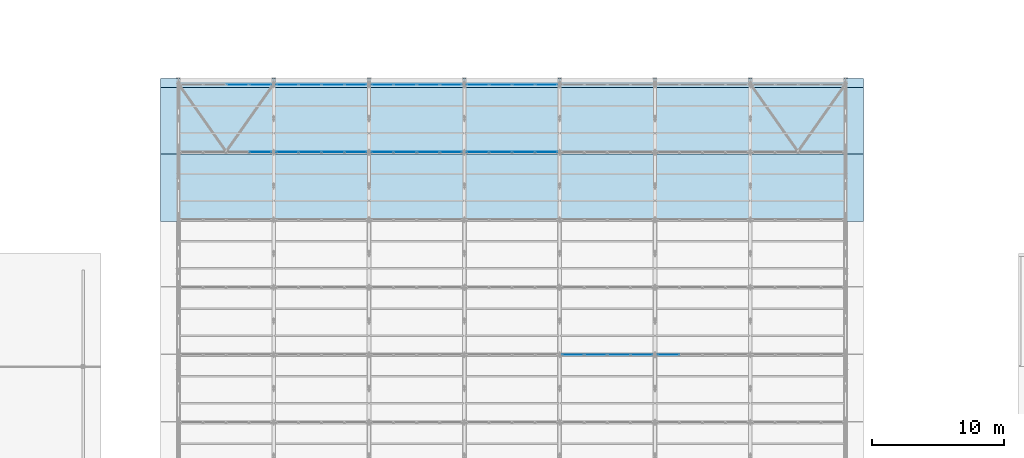
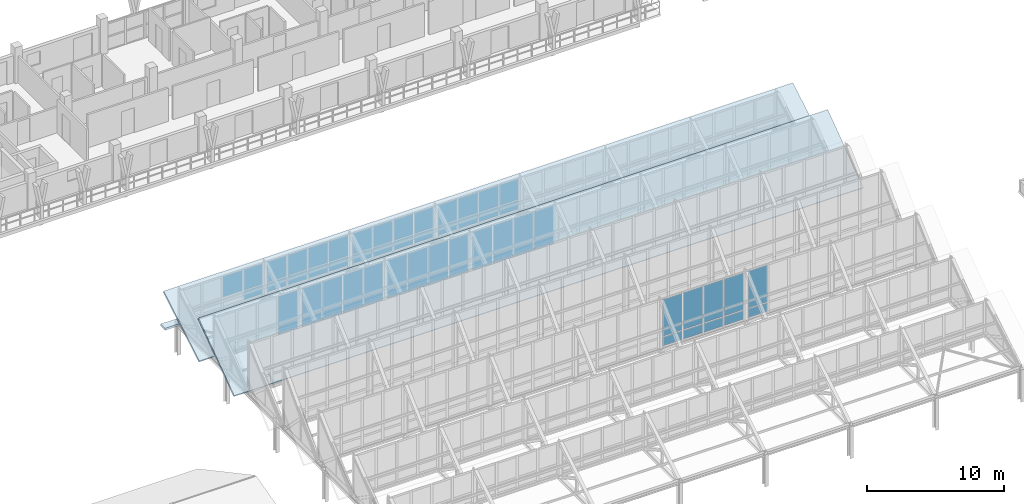
# One storey, part 102 of 157: 63 plates, 3 slabs, 10 elements without a shape of their own.
"""IFC4 building model written with IfcOpenShell, lengths in metres."""

from ifc_helpers import new_model, si_unit, direction, frame, origin, origin_2d, place, context, subcontext, project, spatial, polyline, rectangle, outline, extrude, material, layer, layer_set, type_object, element, aggregate, save


model = new_model("IFC4")

# Units and contexts
model_context = context("Model", 3, precision=1e-05, world=origin(), true_north=direction((0.0, 1.0)))
body_context = subcontext(model_context, "Body", "Model", "MODEL_VIEW")
ifc_project = project(units=[si_unit("LENGTHUNIT", "METRE"), si_unit("AREAUNIT", "SQUARE_METRE"), si_unit("VOLUMEUNIT", "CUBIC_METRE"), si_unit("PLANEANGLEUNIT", "RADIAN"), si_unit("MASSUNIT", "GRAM", prefix="KILO")], contexts=[model_context])

# Site, building, storey
site_placement = place(None, origin())
site = spatial("IfcSite", under=ifc_project, at=site_placement, CompositionType="ELEMENT")
building_placement = place(site_placement, origin())
building = spatial("IfcBuilding", under=site, at=building_placement, Name="Suanplinth Sawtooth Commons", CompositionType="ELEMENT")
storey_placement = place(building_placement, frame((0.0, 0.0, 9.0)))
storey = spatial("IfcBuildingStorey", under=building, at=storey_placement, Name="L02", CompositionType="ELEMENT", Elevation=9.0)

# Curtain wall, plates
ifc_material_1 = material(Name="Anodized aluminium and low-E glazing", Category="aluminium")
curtain_wall_type = type_object("IfcCurtainWallType", Name="CW-03", PredefinedType="USERDEFINED", material=ifc_material_1)
curtain_wall_1_placement = place(storey_placement, origin())
curtain_wall_1 = element("IfcCurtainWall", 1, at=curtain_wall_1_placement, inside=storey, type_object=curtain_wall_type, Name="Curtain Wall CW-SAW-T3-B5", ObjectType="CURTAIN WALL", PredefinedType="USERDEFINED")
ifc_material_2 = material(Name="Diffused north-light laminated glazing", Category="glass")
ifc_layer_1 = layer(ifc_material_2, 0.02587890625, Name="Sawtooth north-light diffused glazing panel 26mm")
ifc_layer_set_1 = layer_set([ifc_layer_1], Name="Diffused north-light laminated glazing")
plate_type_1 = type_object("IfcPlateType", Name="PL-07", PredefinedType="CURTAIN_PANEL", material=ifc_layer_set_1)
plate_1_placement = place(storey_placement, frame((94.608642578125, 65.699951171875, 3.054931640625), z_axis=(0.0, 0.0, 1.0), x_axis=(1.0, 0.0, 0.0)))
plate_1 = element("IfcPlate", 2, at=plate_1_placement, type_object=plate_type_1, Name="CW-03 panel 1.1", PredefinedType="CURTAIN_PANEL", context=body_context, shape_type="SweptSolid", body=[
    extrude(rectangle(XDim=1.62744140625, YDim=0.02587890625, at=origin_2d()), origin(), (0.0, 0.0, 1.0), 0.78759765625),
])
plate_2_placement = place(storey_placement, frame((94.608642578125, 65.699951171875, 3.91748046875), z_axis=(0.0, 0.0, 1.0), x_axis=(1.0, 0.0, 0.0)))
plate_2 = element("IfcPlate", 3, at=plate_2_placement, type_object=plate_type_1, Name="CW-03 panel 1.2", PredefinedType="CURTAIN_PANEL", context=body_context, shape_type="SweptSolid", body=[
    extrude(rectangle(XDim=1.62744140625, YDim=0.02587890625, at=origin_2d()), origin(), (0.0, 0.0, 1.0), 3.297607421875),
])
plate_3_placement = place(storey_placement, frame((96.330078125, 65.699951171875, 3.054931640625), z_axis=(0.0, 0.0, 1.0), x_axis=(1.0, 0.0, 0.0)))
plate_3 = element("IfcPlate", 4, at=plate_3_placement, type_object=plate_type_1, Name="CW-03 panel 2.1", PredefinedType="CURTAIN_PANEL", context=body_context, shape_type="SweptSolid", body=[
    extrude(rectangle(XDim=1.6650390625, YDim=0.02587890625, at=origin_2d()), origin(), (0.0, 0.0, 1.0), 0.78759765625),
])
plate_4_placement = place(storey_placement, frame((96.330078125, 65.699951171875, 3.91748046875), z_axis=(0.0, 0.0, 1.0), x_axis=(1.0, 0.0, 0.0)))
plate_4 = element("IfcPlate", 5, at=plate_4_placement, type_object=plate_type_1, Name="CW-03 panel 2.2", PredefinedType="CURTAIN_PANEL", context=body_context, shape_type="SweptSolid", body=[
    extrude(rectangle(XDim=1.6650390625, YDim=0.02587890625, at=origin_2d()), origin(), (0.0, 0.0, 1.0), 3.297607421875),
])
plate_5_placement = place(storey_placement, frame((98.070068359375, 65.699951171875, 3.054931640625), z_axis=(0.0, 0.0, 1.0), x_axis=(1.0, 0.0, 0.0)))
plate_5 = element("IfcPlate", 6, at=plate_5_placement, type_object=plate_type_1, Name="CW-03 panel 3.1", PredefinedType="CURTAIN_PANEL", context=body_context, shape_type="SweptSolid", body=[
    extrude(rectangle(XDim=1.6650390625, YDim=0.02587890625, at=origin_2d()), origin(), (0.0, 0.0, 1.0), 0.78759765625),
])
plate_6_placement = place(storey_placement, frame((98.070068359375, 65.699951171875, 3.91748046875), z_axis=(0.0, 0.0, 1.0), x_axis=(1.0, 0.0, 0.0)))
plate_6 = element("IfcPlate", 7, at=plate_6_placement, type_object=plate_type_1, Name="CW-03 panel 3.2", PredefinedType="CURTAIN_PANEL", context=body_context, shape_type="SweptSolid", body=[
    extrude(rectangle(XDim=1.6650390625, YDim=0.02587890625, at=origin_2d()), origin(), (0.0, 0.0, 1.0), 3.297607421875),
])
plate_7_placement = place(storey_placement, frame((99.791259765625, 65.699951171875, 3.054931640625), z_axis=(0.0, 0.0, 1.0), x_axis=(1.0, 0.0, 0.0)))
plate_7 = element("IfcPlate", 8, at=plate_7_placement, type_object=plate_type_1, Name="CW-03 panel 4.1", PredefinedType="CURTAIN_PANEL", context=body_context, shape_type="SweptSolid", body=[
    extrude(rectangle(XDim=1.62744140625, YDim=0.02587890625, at=origin_2d()), origin(), (0.0, 0.0, 1.0), 0.78759765625),
])
plate_8_placement = place(storey_placement, frame((99.791259765625, 65.699951171875, 3.91748046875), z_axis=(0.0, 0.0, 1.0), x_axis=(1.0, 0.0, 0.0)))
plate_8 = element("IfcPlate", 9, at=plate_8_placement, type_object=plate_type_1, Name="CW-03 panel 4.2", PredefinedType="CURTAIN_PANEL", context=body_context, shape_type="SweptSolid", body=[
    extrude(rectangle(XDim=1.62744140625, YDim=0.02587890625, at=origin_2d()), origin(), (0.0, 0.0, 1.0), 3.297607421875),
])
aggregate(curtain_wall_1, [plate_1, plate_2, plate_3, plate_4, plate_5, plate_6, plate_7, plate_8])

curtain_wall_2_placement = place(storey_placement, origin())
curtain_wall_2 = element("IfcCurtainWall", 10, at=curtain_wall_2_placement, inside=storey, type_object=curtain_wall_type, Name="Curtain Wall CW-SAW-T3-B6", ObjectType="CURTAIN WALL", PredefinedType="USERDEFINED")
plate_9_placement = place(storey_placement, frame((101.808837890625, 65.699951171875, 3.054931640625), z_axis=(0.0, 0.0, 1.0), x_axis=(1.0, 0.0, 0.0)))
plate_9 = element("IfcPlate", 11, at=plate_9_placement, type_object=plate_type_1, Name="CW-03 panel 1.1", PredefinedType="CURTAIN_PANEL", context=body_context, shape_type="SweptSolid", body=[
    extrude(rectangle(XDim=1.62744140625, YDim=0.02587890625, at=origin_2d()), origin(), (0.0, 0.0, 1.0), 0.78759765625),
])
plate_10_placement = place(storey_placement, frame((101.808837890625, 65.699951171875, 3.91748046875), z_axis=(0.0, 0.0, 1.0), x_axis=(1.0, 0.0, 0.0)))
plate_10 = element("IfcPlate", 12, at=plate_10_placement, type_object=plate_type_1, Name="CW-03 panel 1.2", PredefinedType="CURTAIN_PANEL", context=body_context, shape_type="SweptSolid", body=[
    extrude(rectangle(XDim=1.62744140625, YDim=0.02587890625, at=origin_2d()), origin(), (0.0, 0.0, 1.0), 3.297607421875),
])
aggregate(curtain_wall_2, [plate_9, plate_10])

curtain_wall_3_placement = place(storey_placement, origin())
curtain_wall_3 = element("IfcCurtainWall", 13, at=curtain_wall_3_placement, inside=storey, type_object=curtain_wall_type, Name="Curtain Wall CW-SAW-T7-B1", ObjectType="CURTAIN WALL", PredefinedType="USERDEFINED")
plate_11_placement = place(storey_placement, frame((69.27001953125, 86.10009765625, 3.91748046875), z_axis=(0.0, 0.0, 1.0), x_axis=(1.0, 0.0, 0.0)))
plate_11 = element("IfcPlate", 14, at=plate_11_placement, type_object=plate_type_1, Name="CW-03 panel 3.2", PredefinedType="CURTAIN_PANEL", context=body_context, shape_type="SweptSolid", body=[
    extrude(rectangle(XDim=1.6650390625, YDim=0.02587890625, at=origin_2d()), origin(), (0.0, 0.0, 1.0), 1.847412109375),
])
plate_12_placement = place(storey_placement, frame((70.9912109375, 86.10009765625, 3.054931640625), z_axis=(0.0, 0.0, 1.0), x_axis=(1.0, 0.0, 0.0)))
plate_12 = element("IfcPlate", 15, at=plate_12_placement, type_object=plate_type_1, Name="CW-03 panel 4.1", PredefinedType="CURTAIN_PANEL", context=body_context, shape_type="SweptSolid", body=[
    extrude(rectangle(XDim=1.62744140625, YDim=0.02587890625, at=origin_2d()), origin(), (0.0, 0.0, 1.0), 0.78759765625),
])
plate_13_placement = place(storey_placement, frame((70.9912109375, 86.10009765625, 3.91748046875), z_axis=(0.0, 0.0, 1.0), x_axis=(1.0, 0.0, 0.0)))
plate_13 = element("IfcPlate", 16, at=plate_13_placement, type_object=plate_type_1, Name="CW-03 panel 4.2", PredefinedType="CURTAIN_PANEL", context=body_context, shape_type="SweptSolid", body=[
    extrude(rectangle(XDim=1.62744140625, YDim=0.02587890625, at=origin_2d()), origin(), (0.0, 0.0, 1.0), 1.847412109375),
])
aggregate(curtain_wall_3, [plate_11, plate_12, plate_13])

curtain_wall_4_placement = place(storey_placement, origin())
curtain_wall_4 = element("IfcCurtainWall", 17, at=curtain_wall_4_placement, inside=storey, type_object=curtain_wall_type, Name="Curtain Wall CW-SAW-T7-B2", ObjectType="CURTAIN WALL", PredefinedType="USERDEFINED")
plate_14_placement = place(storey_placement, frame((73.0087890625, 86.10009765625, 3.054931640625), z_axis=(0.0, 0.0, 1.0), x_axis=(1.0, 0.0, 0.0)))
plate_14 = element("IfcPlate", 18, at=plate_14_placement, type_object=plate_type_1, Name="CW-03 panel 1.1", PredefinedType="CURTAIN_PANEL", context=body_context, shape_type="SweptSolid", body=[
    extrude(rectangle(XDim=1.62744140625, YDim=0.02587890625, at=origin_2d()), origin(), (0.0, 0.0, 1.0), 0.78759765625),
])
plate_15_placement = place(storey_placement, frame((73.0087890625, 86.10009765625, 3.91748046875), z_axis=(0.0, 0.0, 1.0), x_axis=(1.0, 0.0, 0.0)))
plate_15 = element("IfcPlate", 19, at=plate_15_placement, type_object=plate_type_1, Name="CW-03 panel 1.2", PredefinedType="CURTAIN_PANEL", context=body_context, shape_type="SweptSolid", body=[
    extrude(rectangle(XDim=1.62744140625, YDim=0.02587890625, at=origin_2d()), origin(), (0.0, 0.0, 1.0), 1.847412109375),
])
plate_16_placement = place(storey_placement, frame((74.72998046875, 86.10009765625, 3.054931640625), z_axis=(0.0, 0.0, 1.0), x_axis=(1.0, 0.0, 0.0)))
plate_16 = element("IfcPlate", 20, at=plate_16_placement, type_object=plate_type_1, Name="CW-03 panel 2.1", PredefinedType="CURTAIN_PANEL", context=body_context, shape_type="SweptSolid", body=[
    extrude(rectangle(XDim=1.6650390625, YDim=0.02587890625, at=origin_2d()), origin(), (0.0, 0.0, 1.0), 0.78759765625),
])
plate_17_placement = place(storey_placement, frame((74.72998046875, 86.10009765625, 3.91748046875), z_axis=(0.0, 0.0, 1.0), x_axis=(1.0, 0.0, 0.0)))
plate_17 = element("IfcPlate", 21, at=plate_17_placement, type_object=plate_type_1, Name="CW-03 panel 2.2", PredefinedType="CURTAIN_PANEL", context=body_context, shape_type="SweptSolid", body=[
    extrude(rectangle(XDim=1.6650390625, YDim=0.02587890625, at=origin_2d()), origin(), (0.0, 0.0, 1.0), 1.847412109375),
])
plate_18_placement = place(storey_placement, frame((76.469970703125, 86.10009765625, 3.054931640625), z_axis=(0.0, 0.0, 1.0), x_axis=(1.0, 0.0, 0.0)))
plate_18 = element("IfcPlate", 22, at=plate_18_placement, type_object=plate_type_1, Name="CW-03 panel 3.1", PredefinedType="CURTAIN_PANEL", context=body_context, shape_type="SweptSolid", body=[
    extrude(rectangle(XDim=1.6650390625, YDim=0.02587890625, at=origin_2d()), origin(), (0.0, 0.0, 1.0), 0.78759765625),
])
plate_19_placement = place(storey_placement, frame((76.469970703125, 86.10009765625, 3.91748046875), z_axis=(0.0, 0.0, 1.0), x_axis=(1.0, 0.0, 0.0)))
plate_19 = element("IfcPlate", 23, at=plate_19_placement, type_object=plate_type_1, Name="CW-03 panel 3.2", PredefinedType="CURTAIN_PANEL", context=body_context, shape_type="SweptSolid", body=[
    extrude(rectangle(XDim=1.6650390625, YDim=0.02587890625, at=origin_2d()), origin(), (0.0, 0.0, 1.0), 1.847412109375),
])
plate_20_placement = place(storey_placement, frame((78.191162109375, 86.10009765625, 3.054931640625), z_axis=(0.0, 0.0, 1.0), x_axis=(1.0, 0.0, 0.0)))
plate_20 = element("IfcPlate", 24, at=plate_20_placement, type_object=plate_type_1, Name="CW-03 panel 4.1", PredefinedType="CURTAIN_PANEL", context=body_context, shape_type="SweptSolid", body=[
    extrude(rectangle(XDim=1.62744140625, YDim=0.02587890625, at=origin_2d()), origin(), (0.0, 0.0, 1.0), 0.78759765625),
])
plate_21_placement = place(storey_placement, frame((78.191162109375, 86.10009765625, 3.91748046875), z_axis=(0.0, 0.0, 1.0), x_axis=(1.0, 0.0, 0.0)))
plate_21 = element("IfcPlate", 25, at=plate_21_placement, type_object=plate_type_1, Name="CW-03 panel 4.2", PredefinedType="CURTAIN_PANEL", context=body_context, shape_type="SweptSolid", body=[
    extrude(rectangle(XDim=1.62744140625, YDim=0.02587890625, at=origin_2d()), origin(), (0.0, 0.0, 1.0), 1.847412109375),
])
aggregate(curtain_wall_4, [plate_14, plate_15, plate_16, plate_17, plate_18, plate_19, plate_20, plate_21])

curtain_wall_5_placement = place(storey_placement, origin())
curtain_wall_5 = element("IfcCurtainWall", 26, at=curtain_wall_5_placement, inside=storey, type_object=curtain_wall_type, Name="Curtain Wall CW-SAW-T7-B3", ObjectType="CURTAIN WALL", PredefinedType="USERDEFINED")
plate_22_placement = place(storey_placement, frame((80.208740234375, 86.10009765625, 3.054931640625), z_axis=(0.0, 0.0, 1.0), x_axis=(1.0, 0.0, 0.0)))
plate_22 = element("IfcPlate", 27, at=plate_22_placement, type_object=plate_type_1, Name="CW-03 panel 1.1", PredefinedType="CURTAIN_PANEL", context=body_context, shape_type="SweptSolid", body=[
    extrude(rectangle(XDim=1.62744140625, YDim=0.02587890625, at=origin_2d()), origin(), (0.0, 0.0, 1.0), 0.78759765625),
])
plate_23_placement = place(storey_placement, frame((80.208740234375, 86.10009765625, 3.91748046875), z_axis=(0.0, 0.0, 1.0), x_axis=(1.0, 0.0, 0.0)))
plate_23 = element("IfcPlate", 28, at=plate_23_placement, type_object=plate_type_1, Name="CW-03 panel 1.2", PredefinedType="CURTAIN_PANEL", context=body_context, shape_type="SweptSolid", body=[
    extrude(rectangle(XDim=1.62744140625, YDim=0.02587890625, at=origin_2d()), origin(), (0.0, 0.0, 1.0), 1.847412109375),
])
plate_24_placement = place(storey_placement, frame((81.929931640625, 86.10009765625, 3.054931640625), z_axis=(0.0, 0.0, 1.0), x_axis=(1.0, 0.0, 0.0)))
plate_24 = element("IfcPlate", 29, at=plate_24_placement, type_object=plate_type_1, Name="CW-03 panel 2.1", PredefinedType="CURTAIN_PANEL", context=body_context, shape_type="SweptSolid", body=[
    extrude(rectangle(XDim=1.6650390625, YDim=0.02587890625, at=origin_2d()), origin(), (0.0, 0.0, 1.0), 0.78759765625),
])
plate_25_placement = place(storey_placement, frame((81.929931640625, 86.10009765625, 3.91748046875), z_axis=(0.0, 0.0, 1.0), x_axis=(1.0, 0.0, 0.0)))
plate_25 = element("IfcPlate", 30, at=plate_25_placement, type_object=plate_type_1, Name="CW-03 panel 2.2", PredefinedType="CURTAIN_PANEL", context=body_context, shape_type="SweptSolid", body=[
    extrude(rectangle(XDim=1.6650390625, YDim=0.02587890625, at=origin_2d()), origin(), (0.0, 0.0, 1.0), 1.847412109375),
])
plate_26_placement = place(storey_placement, frame((83.669921875, 86.10009765625, 3.054931640625), z_axis=(0.0, 0.0, 1.0), x_axis=(1.0, 0.0, 0.0)))
plate_26 = element("IfcPlate", 31, at=plate_26_placement, type_object=plate_type_1, Name="CW-03 panel 3.1", PredefinedType="CURTAIN_PANEL", context=body_context, shape_type="SweptSolid", body=[
    extrude(rectangle(XDim=1.6650390625, YDim=0.02587890625, at=origin_2d()), origin(), (0.0, 0.0, 1.0), 0.78759765625),
])
plate_27_placement = place(storey_placement, frame((83.669921875, 86.10009765625, 3.91748046875), z_axis=(0.0, 0.0, 1.0), x_axis=(1.0, 0.0, 0.0)))
plate_27 = element("IfcPlate", 32, at=plate_27_placement, type_object=plate_type_1, Name="CW-03 panel 3.2", PredefinedType="CURTAIN_PANEL", context=body_context, shape_type="SweptSolid", body=[
    extrude(rectangle(XDim=1.6650390625, YDim=0.02587890625, at=origin_2d()), origin(), (0.0, 0.0, 1.0), 1.847412109375),
])
plate_28_placement = place(storey_placement, frame((85.391357421875, 86.10009765625, 3.054931640625), z_axis=(0.0, 0.0, 1.0), x_axis=(1.0, 0.0, 0.0)))
plate_28 = element("IfcPlate", 33, at=plate_28_placement, type_object=plate_type_1, Name="CW-03 panel 4.1", PredefinedType="CURTAIN_PANEL", context=body_context, shape_type="SweptSolid", body=[
    extrude(rectangle(XDim=1.62744140625, YDim=0.02587890625, at=origin_2d()), origin(), (0.0, 0.0, 1.0), 0.78759765625),
])
plate_29_placement = place(storey_placement, frame((85.391357421875, 86.10009765625, 3.91748046875), z_axis=(0.0, 0.0, 1.0), x_axis=(1.0, 0.0, 0.0)))
plate_29 = element("IfcPlate", 34, at=plate_29_placement, type_object=plate_type_1, Name="CW-03 panel 4.2", PredefinedType="CURTAIN_PANEL", context=body_context, shape_type="SweptSolid", body=[
    extrude(rectangle(XDim=1.62744140625, YDim=0.02587890625, at=origin_2d()), origin(), (0.0, 0.0, 1.0), 1.847412109375),
])
aggregate(curtain_wall_5, [plate_22, plate_23, plate_24, plate_25, plate_26, plate_27, plate_28, plate_29])

curtain_wall_6_placement = place(storey_placement, origin())
curtain_wall_6 = element("IfcCurtainWall", 35, at=curtain_wall_6_placement, inside=storey, type_object=curtain_wall_type, Name="Curtain Wall CW-SAW-T7-B4", ObjectType="CURTAIN WALL", PredefinedType="USERDEFINED")
plate_30_placement = place(storey_placement, frame((87.40869140625, 86.10009765625, 3.054931640625), z_axis=(0.0, 0.0, 1.0), x_axis=(1.0, 0.0, 0.0)))
plate_30 = element("IfcPlate", 36, at=plate_30_placement, type_object=plate_type_1, Name="CW-03 panel 1.1", PredefinedType="CURTAIN_PANEL", context=body_context, shape_type="SweptSolid", body=[
    extrude(rectangle(XDim=1.62744140625, YDim=0.02587890625, at=origin_2d()), origin(), (0.0, 0.0, 1.0), 0.78759765625),
])
plate_31_placement = place(storey_placement, frame((87.40869140625, 86.10009765625, 3.91748046875), z_axis=(0.0, 0.0, 1.0), x_axis=(1.0, 0.0, 0.0)))
plate_31 = element("IfcPlate", 37, at=plate_31_placement, type_object=plate_type_1, Name="CW-03 panel 1.2", PredefinedType="CURTAIN_PANEL", context=body_context, shape_type="SweptSolid", body=[
    extrude(rectangle(XDim=1.62744140625, YDim=0.02587890625, at=origin_2d()), origin(), (0.0, 0.0, 1.0), 1.847412109375),
])
plate_32_placement = place(storey_placement, frame((89.1298828125, 86.10009765625, 3.054931640625), z_axis=(0.0, 0.0, 1.0), x_axis=(1.0, 0.0, 0.0)))
plate_32 = element("IfcPlate", 38, at=plate_32_placement, type_object=plate_type_1, Name="CW-03 panel 2.1", PredefinedType="CURTAIN_PANEL", context=body_context, shape_type="SweptSolid", body=[
    extrude(rectangle(XDim=1.6650390625, YDim=0.02587890625, at=origin_2d()), origin(), (0.0, 0.0, 1.0), 0.78759765625),
])
plate_33_placement = place(storey_placement, frame((89.1298828125, 86.10009765625, 3.91748046875), z_axis=(0.0, 0.0, 1.0), x_axis=(1.0, 0.0, 0.0)))
plate_33 = element("IfcPlate", 39, at=plate_33_placement, type_object=plate_type_1, Name="CW-03 panel 2.2", PredefinedType="CURTAIN_PANEL", context=body_context, shape_type="SweptSolid", body=[
    extrude(rectangle(XDim=1.6650390625, YDim=0.02587890625, at=origin_2d()), origin(), (0.0, 0.0, 1.0), 1.847412109375),
])
plate_34_placement = place(storey_placement, frame((90.8701171875, 86.10009765625, 3.054931640625), z_axis=(0.0, 0.0, 1.0), x_axis=(1.0, 0.0, 0.0)))
plate_34 = element("IfcPlate", 40, at=plate_34_placement, type_object=plate_type_1, Name="CW-03 panel 3.1", PredefinedType="CURTAIN_PANEL", context=body_context, shape_type="SweptSolid", body=[
    extrude(rectangle(XDim=1.6650390625, YDim=0.02587890625, at=origin_2d()), origin(), (0.0, 0.0, 1.0), 0.78759765625),
])
plate_35_placement = place(storey_placement, frame((90.8701171875, 86.10009765625, 3.91748046875), z_axis=(0.0, 0.0, 1.0), x_axis=(1.0, 0.0, 0.0)))
plate_35 = element("IfcPlate", 41, at=plate_35_placement, type_object=plate_type_1, Name="CW-03 panel 3.2", PredefinedType="CURTAIN_PANEL", context=body_context, shape_type="SweptSolid", body=[
    extrude(rectangle(XDim=1.6650390625, YDim=0.02587890625, at=origin_2d()), origin(), (0.0, 0.0, 1.0), 1.847412109375),
])
plate_36_placement = place(storey_placement, frame((92.59130859375, 86.10009765625, 3.054931640625), z_axis=(0.0, 0.0, 1.0), x_axis=(1.0, 0.0, 0.0)))
plate_36 = element("IfcPlate", 42, at=plate_36_placement, type_object=plate_type_1, Name="CW-03 panel 4.1", PredefinedType="CURTAIN_PANEL", context=body_context, shape_type="SweptSolid", body=[
    extrude(rectangle(XDim=1.62744140625, YDim=0.02587890625, at=origin_2d()), origin(), (0.0, 0.0, 1.0), 0.78759765625),
])
plate_37_placement = place(storey_placement, frame((92.59130859375, 86.10009765625, 3.91748046875), z_axis=(0.0, 0.0, 1.0), x_axis=(1.0, 0.0, 0.0)))
plate_37 = element("IfcPlate", 43, at=plate_37_placement, type_object=plate_type_1, Name="CW-03 panel 4.2", PredefinedType="CURTAIN_PANEL", context=body_context, shape_type="SweptSolid", body=[
    extrude(rectangle(XDim=1.62744140625, YDim=0.02587890625, at=origin_2d()), origin(), (0.0, 0.0, 1.0), 1.847412109375),
])
aggregate(curtain_wall_6, [plate_30, plate_31, plate_32, plate_33, plate_34, plate_35, plate_36, plate_37])

curtain_wall_7_placement = place(storey_placement, origin())
curtain_wall_7 = element("IfcCurtainWall", 44, at=curtain_wall_7_placement, inside=storey, type_object=curtain_wall_type, Name="Curtain Wall CW-SAW-T6-B1", ObjectType="CURTAIN WALL", PredefinedType="USERDEFINED")
ifc_material_3 = material(Name="Diffused solar-control north-light glazing", Category="glass")
ifc_layer_2 = layer(ifc_material_3, 0.033935546875, Name="Sawtooth upper diffused glazing panel 34mm")
ifc_layer_set_2 = layer_set([ifc_layer_2], Name="Diffused solar-control north-light glazing")
plate_type_2 = type_object("IfcPlateType", Name="PL-09", PredefinedType="CURTAIN_PANEL", material=ifc_layer_set_2)
plate_38_placement = place(storey_placement, frame((70.9912109375, 81.0, 3.054931640625), z_axis=(0.0, 0.0, 1.0), x_axis=(1.0, 0.0, 0.0)))
plate_38 = element("IfcPlate", 45, at=plate_38_placement, type_object=plate_type_2, Name="CW-03 panel 4.1", PredefinedType="CURTAIN_PANEL", context=body_context, shape_type="SweptSolid", body=[
    extrude(rectangle(XDim=1.62744140625, YDim=0.033935546875, at=origin_2d()), origin(), (0.0, 0.0, 1.0), 0.78759765625),
])
plate_39_placement = place(storey_placement, frame((70.9912109375, 81.0, 3.91748046875), z_axis=(0.0, 0.0, 1.0), x_axis=(1.0, 0.0, 0.0)))
plate_39 = element("IfcPlate", 46, at=plate_39_placement, type_object=plate_type_2, Name="CW-03 panel 4.2", PredefinedType="CURTAIN_PANEL", context=body_context, shape_type="SweptSolid", body=[
    extrude(rectangle(XDim=1.62744140625, YDim=0.033935546875, at=origin_2d()), origin(), (0.0, 0.0, 1.0), 2.547607421875),
])
aggregate(curtain_wall_7, [plate_38, plate_39])

curtain_wall_8_placement = place(storey_placement, origin())
curtain_wall_8 = element("IfcCurtainWall", 47, at=curtain_wall_8_placement, inside=storey, type_object=curtain_wall_type, Name="Curtain Wall CW-SAW-T6-B2", ObjectType="CURTAIN WALL", PredefinedType="USERDEFINED")
plate_40_placement = place(storey_placement, frame((73.0087890625, 81.0, 3.054931640625), z_axis=(0.0, 0.0, 1.0), x_axis=(1.0, 0.0, 0.0)))
plate_40 = element("IfcPlate", 48, at=plate_40_placement, type_object=plate_type_2, Name="CW-03 panel 1.1", PredefinedType="CURTAIN_PANEL", context=body_context, shape_type="SweptSolid", body=[
    extrude(rectangle(XDim=1.62744140625, YDim=0.033935546875, at=origin_2d()), origin(), (0.0, 0.0, 1.0), 0.78759765625),
])
plate_41_placement = place(storey_placement, frame((73.0087890625, 81.0, 3.91748046875), z_axis=(0.0, 0.0, 1.0), x_axis=(1.0, 0.0, 0.0)))
plate_41 = element("IfcPlate", 49, at=plate_41_placement, type_object=plate_type_2, Name="CW-03 panel 1.2", PredefinedType="CURTAIN_PANEL", context=body_context, shape_type="SweptSolid", body=[
    extrude(rectangle(XDim=1.62744140625, YDim=0.033935546875, at=origin_2d()), origin(), (0.0, 0.0, 1.0), 2.547607421875),
])
plate_42_placement = place(storey_placement, frame((74.72998046875, 81.0, 3.054931640625), z_axis=(0.0, 0.0, 1.0), x_axis=(1.0, 0.0, 0.0)))
plate_42 = element("IfcPlate", 50, at=plate_42_placement, type_object=plate_type_2, Name="CW-03 panel 2.1", PredefinedType="CURTAIN_PANEL", context=body_context, shape_type="SweptSolid", body=[
    extrude(rectangle(XDim=1.6650390625, YDim=0.033935546875, at=origin_2d()), origin(), (0.0, 0.0, 1.0), 0.78759765625),
])
plate_43_placement = place(storey_placement, frame((74.72998046875, 81.0, 3.91748046875), z_axis=(0.0, 0.0, 1.0), x_axis=(1.0, 0.0, 0.0)))
plate_43 = element("IfcPlate", 51, at=plate_43_placement, type_object=plate_type_2, Name="CW-03 panel 2.2", PredefinedType="CURTAIN_PANEL", context=body_context, shape_type="SweptSolid", body=[
    extrude(rectangle(XDim=1.6650390625, YDim=0.033935546875, at=origin_2d()), origin(), (0.0, 0.0, 1.0), 2.547607421875),
])
plate_44_placement = place(storey_placement, frame((76.469970703125, 81.0, 3.054931640625), z_axis=(0.0, 0.0, 1.0), x_axis=(1.0, 0.0, 0.0)))
plate_44 = element("IfcPlate", 52, at=plate_44_placement, type_object=plate_type_2, Name="CW-03 panel 3.1", PredefinedType="CURTAIN_PANEL", context=body_context, shape_type="SweptSolid", body=[
    extrude(rectangle(XDim=1.6650390625, YDim=0.033935546875, at=origin_2d()), origin(), (0.0, 0.0, 1.0), 0.78759765625),
])
plate_45_placement = place(storey_placement, frame((76.469970703125, 81.0, 3.91748046875), z_axis=(0.0, 0.0, 1.0), x_axis=(1.0, 0.0, 0.0)))
plate_45 = element("IfcPlate", 53, at=plate_45_placement, type_object=plate_type_2, Name="CW-03 panel 3.2", PredefinedType="CURTAIN_PANEL", context=body_context, shape_type="SweptSolid", body=[
    extrude(rectangle(XDim=1.6650390625, YDim=0.033935546875, at=origin_2d()), origin(), (0.0, 0.0, 1.0), 2.547607421875),
])
plate_46_placement = place(storey_placement, frame((78.191162109375, 81.0, 3.054931640625), z_axis=(0.0, 0.0, 1.0), x_axis=(1.0, 0.0, 0.0)))
plate_46 = element("IfcPlate", 54, at=plate_46_placement, type_object=plate_type_2, Name="CW-03 panel 4.1", PredefinedType="CURTAIN_PANEL", context=body_context, shape_type="SweptSolid", body=[
    extrude(rectangle(XDim=1.62744140625, YDim=0.033935546875, at=origin_2d()), origin(), (0.0, 0.0, 1.0), 0.78759765625),
])
plate_47_placement = place(storey_placement, frame((78.191162109375, 81.0, 3.91748046875), z_axis=(0.0, 0.0, 1.0), x_axis=(1.0, 0.0, 0.0)))
plate_47 = element("IfcPlate", 55, at=plate_47_placement, type_object=plate_type_2, Name="CW-03 panel 4.2", PredefinedType="CURTAIN_PANEL", context=body_context, shape_type="SweptSolid", body=[
    extrude(rectangle(XDim=1.62744140625, YDim=0.033935546875, at=origin_2d()), origin(), (0.0, 0.0, 1.0), 2.547607421875),
])
aggregate(curtain_wall_8, [plate_40, plate_41, plate_42, plate_43, plate_44, plate_45, plate_46, plate_47])

curtain_wall_9_placement = place(storey_placement, origin())
curtain_wall_9 = element("IfcCurtainWall", 56, at=curtain_wall_9_placement, inside=storey, type_object=curtain_wall_type, Name="Curtain Wall CW-SAW-T6-B3", ObjectType="CURTAIN WALL", PredefinedType="USERDEFINED")
plate_48_placement = place(storey_placement, frame((80.208740234375, 81.0, 3.054931640625), z_axis=(0.0, 0.0, 1.0), x_axis=(1.0, 0.0, 0.0)))
plate_48 = element("IfcPlate", 57, at=plate_48_placement, type_object=plate_type_2, Name="CW-03 panel 1.1", PredefinedType="CURTAIN_PANEL", context=body_context, shape_type="SweptSolid", body=[
    extrude(rectangle(XDim=1.62744140625, YDim=0.033935546875, at=origin_2d()), origin(), (0.0, 0.0, 1.0), 0.78759765625),
])
plate_49_placement = place(storey_placement, frame((80.208740234375, 81.0, 3.91748046875), z_axis=(0.0, 0.0, 1.0), x_axis=(1.0, 0.0, 0.0)))
plate_49 = element("IfcPlate", 58, at=plate_49_placement, type_object=plate_type_2, Name="CW-03 panel 1.2", PredefinedType="CURTAIN_PANEL", context=body_context, shape_type="SweptSolid", body=[
    extrude(rectangle(XDim=1.62744140625, YDim=0.033935546875, at=origin_2d()), origin(), (0.0, 0.0, 1.0), 2.547607421875),
])
plate_50_placement = place(storey_placement, frame((81.929931640625, 81.0, 3.054931640625), z_axis=(0.0, 0.0, 1.0), x_axis=(1.0, 0.0, 0.0)))
plate_50 = element("IfcPlate", 59, at=plate_50_placement, type_object=plate_type_2, Name="CW-03 panel 2.1", PredefinedType="CURTAIN_PANEL", context=body_context, shape_type="SweptSolid", body=[
    extrude(rectangle(XDim=1.6650390625, YDim=0.033935546875, at=origin_2d()), origin(), (0.0, 0.0, 1.0), 0.78759765625),
])
plate_51_placement = place(storey_placement, frame((81.929931640625, 81.0, 3.91748046875), z_axis=(0.0, 0.0, 1.0), x_axis=(1.0, 0.0, 0.0)))
plate_51 = element("IfcPlate", 60, at=plate_51_placement, type_object=plate_type_2, Name="CW-03 panel 2.2", PredefinedType="CURTAIN_PANEL", context=body_context, shape_type="SweptSolid", body=[
    extrude(rectangle(XDim=1.6650390625, YDim=0.033935546875, at=origin_2d()), origin(), (0.0, 0.0, 1.0), 2.547607421875),
])
plate_52_placement = place(storey_placement, frame((83.669921875, 81.0, 3.054931640625), z_axis=(0.0, 0.0, 1.0), x_axis=(1.0, 0.0, 0.0)))
plate_52 = element("IfcPlate", 61, at=plate_52_placement, type_object=plate_type_2, Name="CW-03 panel 3.1", PredefinedType="CURTAIN_PANEL", context=body_context, shape_type="SweptSolid", body=[
    extrude(rectangle(XDim=1.6650390625, YDim=0.033935546875, at=origin_2d()), origin(), (0.0, 0.0, 1.0), 0.78759765625),
])
plate_53_placement = place(storey_placement, frame((83.669921875, 81.0, 3.91748046875), z_axis=(0.0, 0.0, 1.0), x_axis=(1.0, 0.0, 0.0)))
plate_53 = element("IfcPlate", 62, at=plate_53_placement, type_object=plate_type_2, Name="CW-03 panel 3.2", PredefinedType="CURTAIN_PANEL", context=body_context, shape_type="SweptSolid", body=[
    extrude(rectangle(XDim=1.6650390625, YDim=0.033935546875, at=origin_2d()), origin(), (0.0, 0.0, 1.0), 2.547607421875),
])
plate_54_placement = place(storey_placement, frame((85.391357421875, 81.0, 3.054931640625), z_axis=(0.0, 0.0, 1.0), x_axis=(1.0, 0.0, 0.0)))
plate_54 = element("IfcPlate", 63, at=plate_54_placement, type_object=plate_type_2, Name="CW-03 panel 4.1", PredefinedType="CURTAIN_PANEL", context=body_context, shape_type="SweptSolid", body=[
    extrude(rectangle(XDim=1.62744140625, YDim=0.033935546875, at=origin_2d()), origin(), (0.0, 0.0, 1.0), 0.78759765625),
])
plate_55_placement = place(storey_placement, frame((85.391357421875, 81.0, 3.91748046875), z_axis=(0.0, 0.0, 1.0), x_axis=(1.0, 0.0, 0.0)))
plate_55 = element("IfcPlate", 64, at=plate_55_placement, type_object=plate_type_2, Name="CW-03 panel 4.2", PredefinedType="CURTAIN_PANEL", context=body_context, shape_type="SweptSolid", body=[
    extrude(rectangle(XDim=1.62744140625, YDim=0.033935546875, at=origin_2d()), origin(), (0.0, 0.0, 1.0), 2.547607421875),
])
aggregate(curtain_wall_9, [plate_48, plate_49, plate_50, plate_51, plate_52, plate_53, plate_54, plate_55])

curtain_wall_10_placement = place(storey_placement, origin())
curtain_wall_10 = element("IfcCurtainWall", 65, at=curtain_wall_10_placement, inside=storey, type_object=curtain_wall_type, Name="Curtain Wall CW-SAW-T6-B4", ObjectType="CURTAIN WALL", PredefinedType="USERDEFINED")
plate_56_placement = place(storey_placement, frame((87.40869140625, 81.0, 3.054931640625), z_axis=(0.0, 0.0, 1.0), x_axis=(1.0, 0.0, 0.0)))
plate_56 = element("IfcPlate", 66, at=plate_56_placement, type_object=plate_type_2, Name="CW-03 panel 1.1", PredefinedType="CURTAIN_PANEL", context=body_context, shape_type="SweptSolid", body=[
    extrude(rectangle(XDim=1.62744140625, YDim=0.033935546875, at=origin_2d()), origin(), (0.0, 0.0, 1.0), 0.78759765625),
])
plate_57_placement = place(storey_placement, frame((87.40869140625, 81.0, 3.91748046875), z_axis=(0.0, 0.0, 1.0), x_axis=(1.0, 0.0, 0.0)))
plate_57 = element("IfcPlate", 67, at=plate_57_placement, type_object=plate_type_2, Name="CW-03 panel 1.2", PredefinedType="CURTAIN_PANEL", context=body_context, shape_type="SweptSolid", body=[
    extrude(rectangle(XDim=1.62744140625, YDim=0.033935546875, at=origin_2d()), origin(), (0.0, 0.0, 1.0), 2.547607421875),
])
plate_58_placement = place(storey_placement, frame((89.1298828125, 81.0, 3.054931640625), z_axis=(0.0, 0.0, 1.0), x_axis=(1.0, 0.0, 0.0)))
plate_58 = element("IfcPlate", 68, at=plate_58_placement, type_object=plate_type_2, Name="CW-03 panel 2.1", PredefinedType="CURTAIN_PANEL", context=body_context, shape_type="SweptSolid", body=[
    extrude(rectangle(XDim=1.6650390625, YDim=0.033935546875, at=origin_2d()), origin(), (0.0, 0.0, 1.0), 0.78759765625),
])
plate_59_placement = place(storey_placement, frame((89.1298828125, 81.0, 3.91748046875), z_axis=(0.0, 0.0, 1.0), x_axis=(1.0, 0.0, 0.0)))
plate_59 = element("IfcPlate", 69, at=plate_59_placement, type_object=plate_type_2, Name="CW-03 panel 2.2", PredefinedType="CURTAIN_PANEL", context=body_context, shape_type="SweptSolid", body=[
    extrude(rectangle(XDim=1.6650390625, YDim=0.033935546875, at=origin_2d()), origin(), (0.0, 0.0, 1.0), 2.547607421875),
])
plate_60_placement = place(storey_placement, frame((90.8701171875, 81.0, 3.054931640625), z_axis=(0.0, 0.0, 1.0), x_axis=(1.0, 0.0, 0.0)))
plate_60 = element("IfcPlate", 70, at=plate_60_placement, type_object=plate_type_2, Name="CW-03 panel 3.1", PredefinedType="CURTAIN_PANEL", context=body_context, shape_type="SweptSolid", body=[
    extrude(rectangle(XDim=1.6650390625, YDim=0.033935546875, at=origin_2d()), origin(), (0.0, 0.0, 1.0), 0.78759765625),
])
plate_61_placement = place(storey_placement, frame((90.8701171875, 81.0, 3.91748046875), z_axis=(0.0, 0.0, 1.0), x_axis=(1.0, 0.0, 0.0)))
plate_61 = element("IfcPlate", 71, at=plate_61_placement, type_object=plate_type_2, Name="CW-03 panel 3.2", PredefinedType="CURTAIN_PANEL", context=body_context, shape_type="SweptSolid", body=[
    extrude(rectangle(XDim=1.6650390625, YDim=0.033935546875, at=origin_2d()), origin(), (0.0, 0.0, 1.0), 2.547607421875),
])
plate_62_placement = place(storey_placement, frame((92.59130859375, 81.0, 3.054931640625), z_axis=(0.0, 0.0, 1.0), x_axis=(1.0, 0.0, 0.0)))
plate_62 = element("IfcPlate", 72, at=plate_62_placement, type_object=plate_type_2, Name="CW-03 panel 4.1", PredefinedType="CURTAIN_PANEL", context=body_context, shape_type="SweptSolid", body=[
    extrude(rectangle(XDim=1.62744140625, YDim=0.033935546875, at=origin_2d()), origin(), (0.0, 0.0, 1.0), 0.78759765625),
])
plate_63_placement = place(storey_placement, frame((92.59130859375, 81.0, 3.91748046875), z_axis=(0.0, 0.0, 1.0), x_axis=(1.0, 0.0, 0.0)))
plate_63 = element("IfcPlate", 73, at=plate_63_placement, type_object=plate_type_2, Name="CW-03 panel 4.2", PredefinedType="CURTAIN_PANEL", context=body_context, shape_type="SweptSolid", body=[
    extrude(rectangle(XDim=1.62744140625, YDim=0.033935546875, at=origin_2d()), origin(), (0.0, 0.0, 1.0), 2.547607421875),
])
aggregate(curtain_wall_10, [plate_56, plate_57, plate_58, plate_59, plate_60, plate_61, plate_62, plate_63])

# Slabs
ifc_material_4 = material(Name="Concrete C35/45", Category="concrete")
ifc_layer_3 = layer(ifc_material_4, 0.179931640625, Name="Sawtooth & pavilion sloped composite roof deck 180mm")
ifc_layer_set_3 = layer_set([ifc_layer_3], Name="Concrete C35/45")
slab_type = type_object("IfcSlabType", Name="S-RF02", PredefinedType="ROOF", material=ifc_layer_set_3)
slab_1_placement = place(storey_placement, frame((63.449951171875, 75.780029296875, 3.11279296875), z_axis=(0.0, -0.587234909992, 0.809416555605), x_axis=(1.0, 0.0, 0.0)))
element("IfcSlab", 74, at=slab_1_placement, inside=storey, type_object=slab_type, Name="Sawtooth Hall North-Light Roof Slope Tooth 6", PredefinedType="ROOF", context=body_context, shape_type="SweptSolid", body=[
    extrude(outline(polyline([(0.0, 0.0), (53.10009765625, 0.0), (53.10009765625, 6.449053539837935), (0.0, 6.449053539837935), (0.0, 0.0)])), origin(), (0.0, 0.0, -1.0), 0.179931640625),
])
slab_2_placement = place(storey_placement, frame((63.449951171875, 80.8798828125, 3.12939453125), z_axis=(0.0, -0.507000747784, 0.861945614146), x_axis=(1.0, 0.0, 0.0)))
element("IfcSlab", 75, at=slab_2_placement, inside=storey, type_object=slab_type, Name="Sawtooth Hall North-Light Roof Slope Tooth 7", PredefinedType="ROOF", context=body_context, shape_type="SweptSolid", body=[
    extrude(outline(polyline([(0.0, 0.0), (53.10009765625, 0.0), (53.10009765625, 6.056315802383007), (0.0, 6.056315802383007), (0.0, 0.0)])), origin(), (0.0, 0.0, -1.0), 0.179931640625),
])
slab_3_placement = place(storey_placement, frame((0.0, 0.0, 2.820068359375)))
element("IfcSlab", 76, at=slab_3_placement, inside=storey, type_object=slab_type, Name="Sawtooth Hall North Eave Gutter Deck", PredefinedType="ROOF", context=body_context, shape_type="SweptSolid", body=[
    extrude(outline(polyline([(63.449951171875, 85.89990234375), (116.550048828125, 85.89990234375), (116.550048828125, 86.550048828125), (63.449951171875, 86.550048828125), (63.449951171875, 85.89990234375)])), origin(), (0.0, 0.0, 1.0), 0.179931640625),
])

save(model, "model.ifc")
